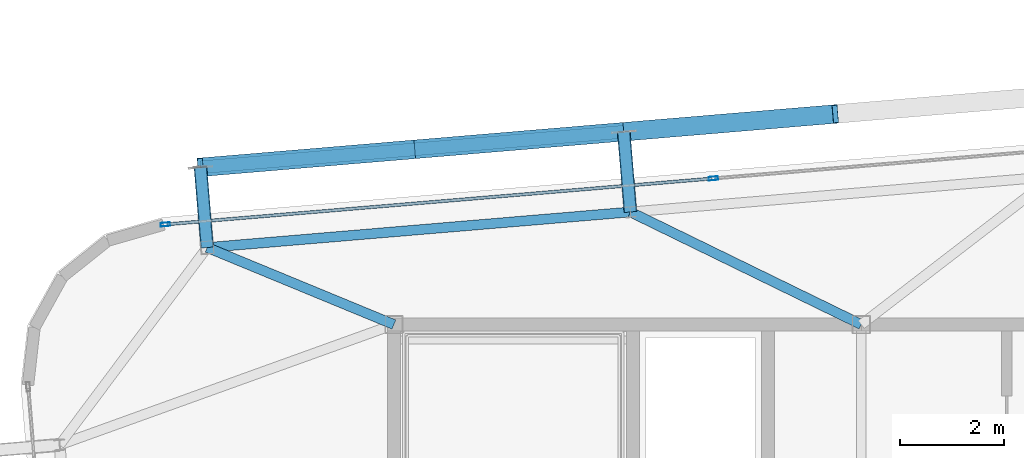
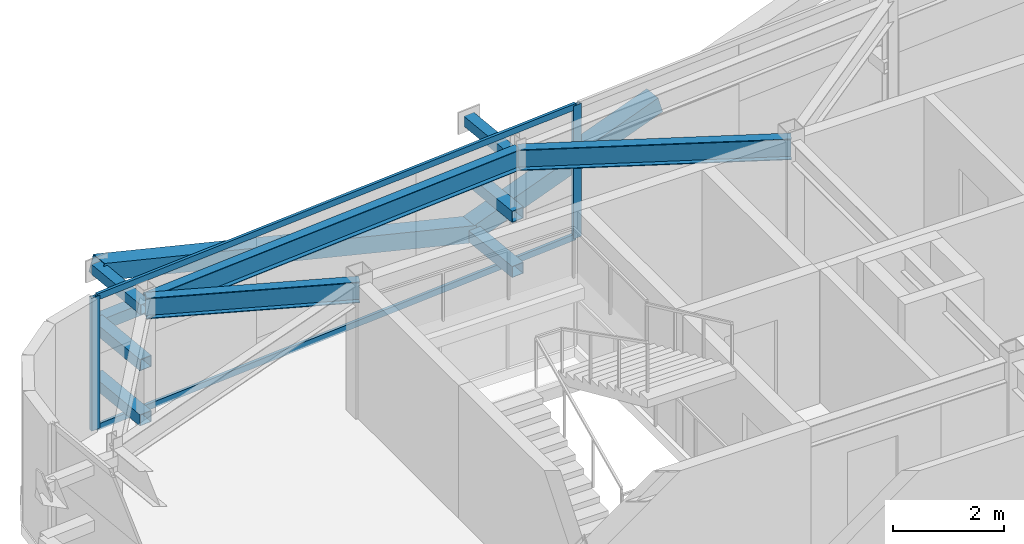
# One storey, part 21 of 37: 14 members, 3 beams, 1 element without a shape of its own.
"""IFC4 building model written with IfcOpenShell, lengths in metres."""

from ifc_helpers import new_model, si_unit, direction, frame, origin, origin_2d, place, context, subcontext, project, spatial, hollow_rectangle, i_section, extrude, source, transform, mapped, material, layer, layer_set, material_profile, profile_set, type_object, element, aggregate, save


model = new_model("IFC4")

# Units and contexts
model_context = context("Model", 3, precision=1e-05, world=origin(), true_north=direction((0.0, 1.0)))
body_context = subcontext(model_context, "Body", "Model", "MODEL_VIEW")
ifc_project = project(units=[si_unit("LENGTHUNIT", "METRE"), si_unit("AREAUNIT", "SQUARE_METRE"), si_unit("VOLUMEUNIT", "CUBIC_METRE"), si_unit("PLANEANGLEUNIT", "RADIAN"), si_unit("MASSUNIT", "GRAM", prefix="KILO")], contexts=[model_context])

# Site, building, storey
site_placement = place(None, origin())
site = spatial("IfcSite", under=ifc_project, at=site_placement, CompositionType="ELEMENT")
building_placement = place(site_placement, origin())
building = spatial("IfcBuilding", under=site, at=building_placement, Name="Taldren Reach Tower", CompositionType="ELEMENT")
storey_placement = place(building_placement, frame((0.0, 0.0, 182.0)))
storey = spatial("IfcBuildingStorey", under=building, at=storey_placement, Name="L55", CompositionType="ELEMENT", Elevation=182.0)

# Members
ifc_material_1 = material(Name="Steel Gr 350 (C350L0)", Category="steel")
ifc_material_profile_1 = material_profile(ifc_material_1, hollow_rectangle(XDim=0.25, YDim=0.25, WallThickness=0.010009765625, at=origin_2d()), Name="250x250x10.0SHS")
ifc_profile_set_1 = profile_set([ifc_material_profile_1], Name="Steel Gr 350 (C350L0)")
member_type_1 = type_object("IfcMemberType", Name="MB-POST250", PredefinedType="POST", material=ifc_profile_set_1)
shared_shape_1 = source(origin(), body_context, "Body", "SweptSolid", [
    extrude(hollow_rectangle(XDim=0.25, YDim=0.25, WallThickness=0.010009765625, at=origin_2d()), origin(), (0.0, 0.0, 1.0), 1.5498046875),
])
for number, where, z_axis, x_axis, name in (
    (1, (15.40380859375, 33.483642578125, 0.219970703125), (-0.083645141657, 0.996495604746, 0.0), (-0.996495604746, -0.083645141657, 0.0), "Exoskeleton base diaphragm tie strut B4-N1 L55"),
    (2, (15.40380859375, 33.483642578125, 1.43505859375), (-0.083645141657, 0.996495604746, 0.0), (-0.996495604746, -0.083645141657, 0.0), "Exoskeleton mid-tier diaphragm tie B4-N1 L55"),
):
    element("IfcMember", number, at=place(storey_placement, frame(where, z_axis=z_axis, x_axis=x_axis)), inside=storey, type_object=member_type_1, Name=name, PredefinedType="POST", context=body_context, shape_type="MappedRepresentation", body=[
        mapped(shared_shape_1, transform((0.0, 0.0, 0.0), scale=1.0)),
    ])
shared_shape_2 = source(origin(), body_context, "Body", "SweptSolid", [
    extrude(hollow_rectangle(XDim=0.25, YDim=0.25, WallThickness=0.010009765625, at=origin_2d()), origin(), (0.0, 0.0, 1.0), 1.550048828125),
])
for number, where, z_axis, x_axis, name in (
    (3, (23.55517578125, 34.16796875, 0.219970703125), (-0.083788408178, 0.996483568683, 0.0), (-0.996483568683, -0.083788408178, 0.0), "Exoskeleton base diaphragm tie strut B4-N2 L55"),
    (4, (23.55517578125, 34.16796875, 1.43505859375), (-0.083788408178, 0.996483568683, 0.0), (-0.996483568683, -0.083788408178, 0.0), "Exoskeleton mid-tier diaphragm tie B4-N2 L55"),
):
    element("IfcMember", number, at=place(storey_placement, frame(where, z_axis=z_axis, x_axis=x_axis)), inside=storey, type_object=member_type_1, Name=name, PredefinedType="POST", context=body_context, shape_type="MappedRepresentation", body=[
        mapped(shared_shape_2, transform((0.0, 0.0, 0.0), scale=1.0)),
    ])

# Beams
ifc_material_2 = material(Name="Steel Gr 350 (350PLUS)", Category="steel")
ifc_material_profile_2 = material_profile(ifc_material_2, i_section(OverallWidth=0.18994140625, OverallDepth=0.4541015625, WebThickness=0.008544921875, FlangeThickness=0.0126953125, at=origin_2d()), Name="460UB67.1")
ifc_profile_set_2 = profile_set([ifc_material_profile_2], Name="Steel Gr 350 (350PLUS)")
beam_type_1 = type_object("IfcBeamType", Name="SP-UB460B", PredefinedType="SPANDREL", material=ifc_profile_set_2)
shared_shape_3 = source(origin(), body_context, "Body", "SweptSolid", [
    extrude(i_section(OverallWidth=0.18994140625, OverallDepth=0.4541015625, WebThickness=0.008544921875, FlangeThickness=0.0126953125, at=origin_2d()), origin(), (0.0, 0.0, 1.0), 8.179931640625),
])
beam_1_placement = place(storey_placement, frame((23.55517578125, 34.16796875, 2.702880859375), z_axis=(-0.996494523218, -0.083658025296, 0.0), x_axis=(0.083658025296, -0.996494523218, 0.0)))
element("IfcBeam", 5, at=beam_1_placement, inside=storey, type_object=beam_type_1, Name="Perimeter spandrel B4 N2-N1 L55", PredefinedType="SPANDREL", context=body_context, shape_type="MappedRepresentation", body=[
    mapped(shared_shape_3, transform((0.0, 0.0, 0.0), scale=1.0)),
])
ifc_material_profile_3 = material_profile(ifc_material_2, i_section(OverallWidth=0.19091796875, OverallDepth=0.4599609375, WebThickness=0.010009765625, FlangeThickness=0.01611328125, at=origin_2d()), Name="460UB82.1")
ifc_profile_set_3 = profile_set([ifc_material_profile_3], Name="Steel Gr 350 (350PLUS)")
beam_type_2 = type_object("IfcBeamType", Name="BM-UB460A", PredefinedType="BEAM", material=ifc_profile_set_3)
shared_shape_4 = source(origin(), body_context, "Body", "SweptSolid", [
    extrude(i_section(OverallWidth=0.19091796875, OverallDepth=0.4599609375, WebThickness=0.010009765625, FlangeThickness=0.01611328125, at=origin_2d()), origin(), (0.0, 0.0, 1.0), 4.9453125),
])
beam_2_placement = place(storey_placement, frame((28.0, 32.0, 2.699951171875), z_axis=(-0.898787423235, 0.438384725823, 0.0), x_axis=(-0.438384725823, -0.898787423235, 0.0)))
element("IfcBeam", 6, at=beam_2_placement, inside=storey, type_object=beam_type_2, Name="Primary floor girder B4-N2 L55", PredefinedType="BEAM", context=body_context, shape_type="MappedRepresentation", body=[
    mapped(shared_shape_4, transform((0.0, 0.0, 0.0), scale=1.0)),
])
shared_shape_5 = source(origin(), body_context, "Body", "SweptSolid", [
    extrude(i_section(OverallWidth=0.19091796875, OverallDepth=0.4599609375, WebThickness=0.010009765625, FlangeThickness=0.01611328125, at=origin_2d()), origin(), (0.0, 0.0, 1.0), 3.89013671875),
])
beam_3_placement = place(storey_placement, frame((19.0, 32.0, 2.699951171875), z_axis=(-0.924419242179, 0.381377850287, 0.0), x_axis=(-0.381377850287, -0.924419242179, 0.0)))
element("IfcBeam", 7, at=beam_3_placement, inside=storey, type_object=beam_type_2, Name="Primary floor girder B4-N1 L55", PredefinedType="BEAM", context=body_context, shape_type="MappedRepresentation", body=[
    mapped(shared_shape_5, transform((0.0, 0.0, 0.0), scale=1.0)),
])

# Members
ifc_material_3 = material(Name="Steel Gr 450 (C450L0)", Category="steel")
ifc_material_profile_4 = material_profile(ifc_material_3, hollow_rectangle(XDim=0.219970703125, YDim=0.219970703125, WallThickness=0.00830078125, at=origin_2d()), Name="220x220x8.2SHS")
ifc_profile_set_4 = profile_set([ifc_material_profile_4], Name="Steel Gr 450 (C450L0)")
member_type_2 = type_object("IfcMemberType", Name="MB-TIE219", PredefinedType="STRUT", material=ifc_profile_set_4)
shared_shape_6 = source(origin(), body_context, "Body", "SweptSolid", [
    extrude(hollow_rectangle(XDim=0.219970703125, YDim=0.219970703125, WallThickness=0.00830078125, at=origin_2d()), origin(), (0.0, 0.0, 1.0), 1.5498046875),
])
member_1_placement = place(storey_placement, frame((15.40380859375, 33.483642578125, 2.64990234375), z_axis=(-0.083645141657, 0.996495604746, 0.0), x_axis=(-0.996495604746, -0.083645141657, 0.0)))
element("IfcMember", 8, at=member_1_placement, inside=storey, type_object=member_type_2, Name="Exoskeleton diaphragm tie strut B4-N1 L55", PredefinedType="STRUT", context=body_context, shape_type="MappedRepresentation", body=[
    mapped(shared_shape_6, transform((0.0, 0.0, 0.0), scale=1.0)),
])
shared_shape_7 = source(origin(), body_context, "Body", "SweptSolid", [
    extrude(hollow_rectangle(XDim=0.219970703125, YDim=0.219970703125, WallThickness=0.00830078125, at=origin_2d()), origin(), (0.0, 0.0, 1.0), 1.550048828125),
])
member_2_placement = place(storey_placement, frame((23.55517578125, 34.16796875, 2.64990234375), z_axis=(-0.083788408178, 0.996483568683, 0.0), x_axis=(-0.996483568683, -0.083788408178, 0.0)))
element("IfcMember", 9, at=member_2_placement, inside=storey, type_object=member_type_2, Name="Exoskeleton diaphragm tie strut B4-N2 L55", PredefinedType="STRUT", context=body_context, shape_type="MappedRepresentation", body=[
    mapped(shared_shape_7, transform((0.0, 0.0, 0.0), scale=1.0)),
])
shared_shape_8 = source(origin(), body_context, "Body", "SweptSolid", [
    extrude(hollow_rectangle(XDim=0.25, YDim=0.25, WallThickness=0.010009765625, at=origin_2d()), origin(), (0.0, 0.0, 1.0), 8.179931640625),
])
member_3_placement = place(storey_placement, frame((15.274169921875, 35.028076171875, 1.43505859375), z_axis=(0.99649182565, 0.08369015123, 0.0), x_axis=(-0.08369015123, 0.99649182565, 0.0)))
element("IfcMember", 10, at=member_3_placement, inside=storey, type_object=member_type_1, Name="Exoskeleton mid-height ring chord B4-N1 L55", PredefinedType="POST", context=body_context, shape_type="MappedRepresentation", body=[
    mapped(shared_shape_8, transform((0.0, 0.0, 0.0), scale=1.0)),
])
ifc_material_profile_5 = material_profile(ifc_material_3, hollow_rectangle(XDim=0.360107421875, YDim=0.360107421875, WallThickness=0.0126953125, at=origin_2d()), Name="360x360x12.7SHS")
ifc_profile_set_5 = profile_set([ifc_material_profile_5], Name="Steel Gr 450 (C450L0)")
member_type_3 = type_object("IfcMemberType", Name="MB-EXO356", PredefinedType="BRACE", material=ifc_profile_set_5)
shared_shape_9 = source(origin(), body_context, "Body", "SweptSolid", [
    extrude(hollow_rectangle(XDim=0.360107421875, YDim=0.360107421875, WallThickness=0.0126953125, at=origin_2d()), origin(), (0.0, 0.0, 1.0), 4.2666015625),
])
for number, where, z_axis, x_axis, name in (
    (11, (19.349853515625, 35.370361328125, 1.43505859375), (-0.955244723646, -0.080223619417, 0.284730906006), (0.083687662192, -0.996492034688, 0.0), "Exoskeleton Diagrid Brace B4-N1 L55"),
    (12, (23.42529296875, 35.712646484375, 0.219970703125), (0.955229159097, 0.080222312271, 0.284783486572), (-0.083687662192, 0.996492034688, 0.0), "Exoskeleton Diagrid Brace B4-N2 L55"),
):
    element("IfcMember", number, at=place(storey_placement, frame(where, z_axis=z_axis, x_axis=x_axis)), inside=storey, type_object=member_type_3, Name=name, PredefinedType="BRACE", context=body_context, shape_type="MappedRepresentation", body=[
        mapped(shared_shape_9, transform((0.0, 0.0, 0.0), scale=1.0)),
    ])
shared_shape_10 = source(origin(), body_context, "Body", "SweptSolid", [
    extrude(hollow_rectangle(XDim=0.360107421875, YDim=0.360107421875, WallThickness=0.0126953125, at=origin_2d()), origin(), (0.0, 0.0, 1.0), 4.266357421875),
])
member_4_placement = place(storey_placement, frame((23.42529296875, 35.712646484375, 0.219970703125), z_axis=(-0.955224149813, -0.080226697301, 0.284799053113), x_axis=(0.083692640416, -0.996491616593, 0.0)))
element("IfcMember", 13, at=member_4_placement, inside=storey, type_object=member_type_3, Name="Exoskeleton Diagrid Brace B4-N1 L55", PredefinedType="BRACE", context=body_context, shape_type="MappedRepresentation", body=[
    mapped(shared_shape_10, transform((0.0, 0.0, 0.0), scale=1.0)),
])

# Curtain wall, members
ifc_material_4 = material(Name="Aluminium and Low-E Glass Unitised System", Category="aluminium")
ifc_layer = layer(ifc_material_4, 0.159912109375)
ifc_layer_set = layer_set([ifc_layer], Name="Aluminium and Low-E Glass Unitised System")
curtain_wall_type = type_object("IfcCurtainWallType", Name="CW-SYS-5", PredefinedType="NOTDEFINED", material=ifc_layer_set)
curtain_wall_placement = place(storey_placement, origin())
curtain_wall = element("IfcCurtainWall", 14, at=curtain_wall_placement, inside=storey, type_object=curtain_wall_type, Name="Unitised curtain wall CW-L55-N", PredefinedType="NOTDEFINED")
ifc_material_5 = material(Name="Anodised Aluminium 6063-T6", Category="aluminium")
ifc_material_profile_6 = material_profile(ifc_material_5, hollow_rectangle(XDim=0.070068359375, YDim=0.179931640625, WallThickness=0.00390625, at=origin_2d()), Name="ALU-180x70x4RHS")
ifc_profile_set_6 = profile_set([ifc_material_profile_6], Name="Anodised Aluminium 6063-T6")
member_type_4 = type_object("IfcMemberType", Name="CW-MUL-180", PredefinedType="MULLION", material=ifc_profile_set_6)
shared_shape_11 = source(origin(), body_context, "Body", "SweptSolid", [
    extrude(hollow_rectangle(XDim=0.070068359375, YDim=0.179931640625, WallThickness=0.00390625, at=origin_2d()), origin(), (0.0, 0.0, 1.0), 2.929931640625),
])
member_5_placement = place(storey_placement, frame((25.151611328125, 34.81396484375, 0.0), z_axis=(0.0, 0.0, 1.0), x_axis=(0.083677875247, -0.99649285657, 0.0)))
member_5 = element("IfcMember", 15, at=member_5_placement, type_object=member_type_4, Name="CW-5 mullion 4", PredefinedType="MULLION", context=body_context, shape_type="MappedRepresentation", body=[
    mapped(shared_shape_11, transform((0.0, 0.0, 0.0), scale=1.0)),
])
member_6_placement = place(storey_placement, frame((14.598876953125, 33.927734375, 0.0), z_axis=(0.0, 0.0, 1.0), x_axis=(0.083677875247, -0.99649285657, 0.0)))
member_6 = element("IfcMember", 16, at=member_6_placement, type_object=member_type_4, Name="CW-5 mullion 5", PredefinedType="MULLION", context=body_context, shape_type="MappedRepresentation", body=[
    mapped(shared_shape_11, transform((0.0, 0.0, 0.0), scale=1.0)),
])
ifc_material_profile_7 = material_profile(ifc_material_5, hollow_rectangle(XDim=0.06005859375, YDim=0.135009765625, WallThickness=0.00341796875, at=origin_2d()), Name="ALU-135x60x3.5RHS")
ifc_profile_set_7 = profile_set([ifc_material_profile_7], Name="Anodised Aluminium 6063-T6")
member_type_5 = type_object("IfcMemberType", Name="CW-TRN-150", PredefinedType="USERDEFINED", material=ifc_profile_set_7)
shared_shape_12 = source(origin(), body_context, "Body", "SweptSolid", [
    extrude(hollow_rectangle(XDim=0.06005859375, YDim=0.135009765625, WallThickness=0.00341796875, at=origin_2d()), origin(), (0.0, 0.0, 1.0), 10.519775390625),
])
member_7_placement = place(storey_placement, frame((25.11669921875, 34.81103515625, 0.030029296875), z_axis=(-0.996492094046, -0.083686955404, 0.0), x_axis=(0.083686955404, -0.996492094046, 0.0)))
member_7 = element("IfcMember", 17, at=member_7_placement, type_object=member_type_5, Name="CW-5 transom 4.1", ObjectType="TRANSOM", PredefinedType="USERDEFINED", context=body_context, shape_type="MappedRepresentation", body=[
    mapped(shared_shape_12, transform((0.0, 0.0, 0.0), scale=1.0)),
])
member_8_placement = place(storey_placement, frame((25.11669921875, 34.81103515625, 2.89990234375), z_axis=(-0.996492094046, -0.083686955404, 0.0), x_axis=(0.083686955404, -0.996492094046, 0.0)))
member_8 = element("IfcMember", 18, at=member_8_placement, type_object=member_type_5, Name="CW-5 transom 4.2", ObjectType="TRANSOM", PredefinedType="USERDEFINED", context=body_context, shape_type="MappedRepresentation", body=[
    mapped(shared_shape_12, transform((0.0, 0.0, 0.0), scale=1.0)),
])
aggregate(curtain_wall, [member_5, member_6, member_7, member_8])

save(model, "model.ifc")
